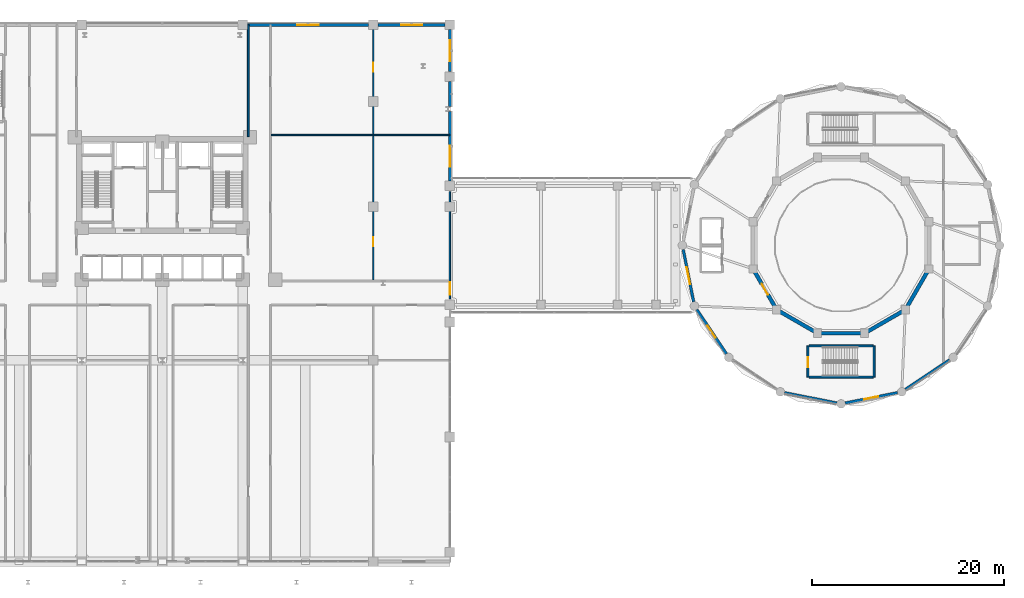
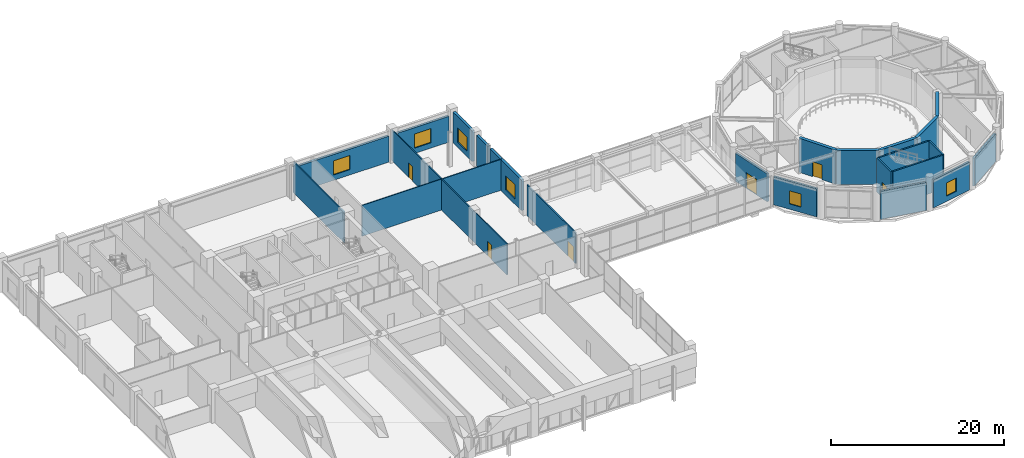
# One storey, part 33 of 44: 23 walls, 6 doors, 6 windows, 12 openings.
"""IFC4 building model written with IfcOpenShell, lengths in metres."""

from ifc_helpers import new_model, si_unit, derived_unit, direction, frame, frame_2d, origin, place, context, subcontext, project, spatial, rectangle, extrude, material, layer, layer_set, type_object, element, fill, save


model = new_model("IFC4")

# Units and contexts
model_context = context("Model", 3, precision=1e-05, world=origin(), true_north=direction((0.0, 1.0)))
body_context = subcontext(model_context, "Body", "Model", "MODEL_VIEW")
ifc_project = project(units=[si_unit("LENGTHUNIT", "METRE"), si_unit("AREAUNIT", "SQUARE_METRE"), si_unit("VOLUMEUNIT", "CUBIC_METRE"), si_unit("PLANEANGLEUNIT", "RADIAN"), si_unit("MASSUNIT", "GRAM", prefix="KILO"), derived_unit("THERMALTRANSMITTANCEUNIT", [(si_unit("POWERUNIT", "WATT"), 1), (si_unit("LENGTHUNIT", "METRE"), -2), (si_unit("THERMODYNAMICTEMPERATUREUNIT", "KELVIN"), -1)])], contexts=[model_context])

# Site, building, storey
site_placement = place(None, origin())
site = spatial("IfcSite", under=ifc_project, at=site_placement, CompositionType="ELEMENT")
building_placement = place(site_placement, origin())
building = spatial("IfcBuilding", under=site, at=building_placement, Name="Korsvarv Bourse and Concert Hall", CompositionType="ELEMENT")
storey_placement = place(building_placement, frame((0.0, 0.0, 9.60009765625)))
storey = spatial("IfcBuildingStorey", under=building, at=storey_placement, Name="L02", CompositionType="ELEMENT", Elevation=9.60009765625)

# Wall, opening, door
ifc_material_1 = material(Name="Concrete C50/60", Category="concrete")
ifc_layer_1 = layer(ifc_material_1, 0.3798828125)
ifc_layer_set_1 = layer_set([ifc_layer_1], Name="Concrete C50/60")
wall_type_1 = type_object("IfcWallType", Name="WL-CORE-380", PredefinedType="SHEAR", material=ifc_layer_set_1)
wall_1_placement = place(storey_placement, frame((103.35009765625, 22.239990234375, 0.0), z_axis=(0.0, 0.0, 1.0), x_axis=(0.0, 1.0, 0.0)))
wall_1 = element("IfcWall", 1, at=wall_1_placement, inside=storey, type_object=wall_type_1, Name="L02 stair shaft structural wall W-L02-STCH2-W", PredefinedType="SHEAR", context=body_context, shape_type="SweptSolid", body=[
    extrude(rectangle(XDim=3.260009765625, YDim=0.199951171875, at=frame_2d((1.6298828125, 0.0))), origin(), (0.0, 0.0, 1.0), 4.7998046875),
])
opening_1_placement = place(wall_1_placement, frame((1.050048828125, 0.0, 0.0)))
opening_1 = element("IfcOpeningElement", 2, at=opening_1_placement, cuts=wall_1, Name="Opening D-01", PredefinedType="OPENING", context=body_context, shape_type="SweptSolid", body=[
    extrude(rectangle(XDim=1.050048828125, YDim=2.10009765625, at=frame_2d((0.52490234375, 1.050048828125))), frame((0.0, 0.10986328125, 0.0), z_axis=(0.0, -1.0, 0.0), x_axis=(1.0, 0.0, 0.0)), (0.0, 0.0, 1.0), 0.219970703125),
])
ifc_material_2 = material(Name="Steel S355 fire door", Category="steel")
door_type_1 = type_object("IfcDoorType", Name="DR-FD60", OperationType="NOTDEFINED", PredefinedType="DOOR", material=ifc_material_2)
door_1_placement = place(opening_1_placement, origin())
door_1 = element("IfcDoor", 3, at=door_1_placement, inside=storey, type_object=door_type_1, Name="L02 interior door DR-L02-STCH2", OperationType="SINGLE_SWING_RIGHT", OverallHeight=2.10009765625, OverallWidth=1.050048828125, PredefinedType="DOOR", context=body_context, shape_type="SweptSolid", body=[
    extrude(rectangle(XDim=1.050048828125, YDim=2.10009765625, at=frame_2d((0.52490234375, 1.050048828125))), frame((0.0, 0.02490234375, 0.0), z_axis=(0.0, -1.0, 0.0), x_axis=(1.0, 0.0, 0.0)), (0.0, 0.0, 1.0), 0.050048828125),
])
fill(opening_1, door_1)

# Walls
for number, where, z_axis, x_axis, name in (
    (4, (103.4599609375, 25.5, 0.0), (0.0, 0.0, 1.0), (1.0, 0.0, 0.0), "L02 stair shaft structural wall W-L02-STCH2-N"),
    (5, (103.4599609375, 22.239990234375, 0.0), (0.0, 0.0, 1.0), (1.0, 0.0, 0.0), "L02 stair shaft structural wall W-L02-STCH2-S"),
):
    element("IfcWall", number, at=place(storey_placement, frame(where, z_axis=z_axis, x_axis=x_axis)), inside=storey, type_object=wall_type_1, Name=name, PredefinedType="SHEAR", context=body_context, shape_type="SweptSolid", body=[
        extrude(rectangle(XDim=6.679931640625, YDim=0.199951171875, at=frame_2d((3.33984375, 0.0))), origin(), (0.0, 0.0, 1.0), 4.7998046875),
    ])
wall_2_placement = place(storey_placement, frame((110.25, 22.239990234375, 0.0), z_axis=(0.0, 0.0, 1.0), x_axis=(0.0, 1.0, 0.0)))
element("IfcWall", 6, at=wall_2_placement, inside=storey, type_object=wall_type_1, Name="L02 stair shaft structural wall W-L02-STCH2-E", PredefinedType="SHEAR", context=body_context, shape_type="SweptSolid", body=[
    extrude(rectangle(XDim=3.260009765625, YDim=0.199951171875, at=frame_2d((1.6298828125, 0.0))), origin(), (0.0, 0.0, 1.0), 4.7998046875),
])

# Wall, opening, door
ifc_layer_2 = layer(ifc_material_1, 0.39990234375)
ifc_layer_set_2 = layer_set([ifc_layer_2], Name="Concrete C50/60")
wall_type_2 = type_object("IfcWallType", Name="WL-DRM-400", PredefinedType="SOLIDWALL", material=ifc_layer_set_2)
wall_3_placement = place(storey_placement, frame((97.623779296875, 33.541259765625, 0.0), z_axis=(0.0, 0.0, 1.0), x_axis=(0.499988900423, -0.866031812033, 0.0)))
wall_3 = element("IfcWall", 7, at=wall_3_placement, inside=storey, type_object=wall_type_2, Name="L02 Concert Hall Acoustic Bowl Wall 7", PredefinedType="SOLIDWALL", context=body_context, shape_type="SweptSolid", body=[
    extrude(rectangle(XDim=4.91748046875, YDim=0.39990234375, at=frame_2d((2.458740234375, 0.0))), origin(), (0.0, 0.0, 1.0), 4.7998046875),
])
opening_2_placement = place(wall_3_placement, frame((1.808837890625, 0.0, 0.0)))
opening_2 = element("IfcOpeningElement", 8, at=opening_2_placement, cuts=wall_3, Name="Opening D-04", PredefinedType="OPENING", context=body_context, shape_type="SweptSolid", body=[
    extrude(rectangle(XDim=1.300048828125, YDim=2.10009765625, at=frame_2d((0.64990234375, 1.050048828125))), frame((0.0, 0.2099609375, 0.0), z_axis=(0.0, -1.0, 0.0), x_axis=(1.0, 0.0, 0.0)), (0.0, 0.0, 1.0), 0.419921875),
])
ifc_material_3 = material(Name="Glazed aluminium double corridor door", Category="aluminium")
door_type_2 = type_object("IfcDoorType", Name="DR-INT-2", OperationType="DOUBLE_DOOR_SINGLE_SWING", PredefinedType="DOOR", material=ifc_material_3)
door_2_placement = place(opening_2_placement, frame((1.300048828125, 0.0, 0.0), z_axis=(0.0, 0.0, 1.0), x_axis=(-1.0, 0.0, 0.0)))
door_2 = element("IfcDoor", 9, at=door_2_placement, inside=storey, type_object=door_type_2, Name="L02 Symphony Auditorium acoustic door DR-L02-CHB2", OperationType="SINGLE_SWING_RIGHT", OverallHeight=2.10009765625, OverallWidth=1.300048828125, PredefinedType="DOOR", context=body_context, shape_type="SweptSolid", body=[
    extrude(rectangle(XDim=1.300048828125, YDim=2.10009765625, at=frame_2d((0.64990234375, 1.050048828125))), frame((0.0, 0.02490234375, 0.0), z_axis=(0.0, -1.0, 0.0), x_axis=(1.0, 0.0, 0.0)), (0.0, 0.0, 1.0), 0.050048828125),
])
fill(opening_2, door_2)

# Walls
for number, where, z_axis, x_axis, name in (
    (10, (100.08251953125, 29.282470703125, 0.0), (0.0, 0.0, 1.0), (0.866031812033, -0.499988900423, 0.0), "L02 Concert Hall Acoustic Bowl Wall 8"),
    (11, (104.34130859375, 26.82373046875, 0.0), (0.0, 0.0, 1.0), (1.0, 0.0, 0.0), "L02 Concert Hall Acoustic Bowl Wall 9"),
    (12, (109.2587890625, 26.82373046875, 0.0), (0.0, 0.0, 1.0), (0.866031812033, 0.499988900423, 0.0), "L02 Concert Hall Acoustic Bowl Wall 10"),
    (13, (113.517578125, 29.282470703125, 0.0), (0.0, 0.0, 1.0), (0.499988900423, 0.866031812033, 0.0), "L02 Concert Hall Acoustic Bowl Wall 11"),
):
    element("IfcWall", number, at=place(storey_placement, frame(where, z_axis=z_axis, x_axis=x_axis)), inside=storey, type_object=wall_type_2, Name=name, PredefinedType="SOLIDWALL", context=body_context, shape_type="SweptSolid", body=[
        extrude(rectangle(XDim=4.91748046875, YDim=0.39990234375, at=frame_2d((2.458740234375, 0.0))), origin(), (0.0, 0.0, 1.0), 4.7998046875),
    ])

# Wall, opening, window
ifc_material_4 = material(Name="Precast concrete C45/55 with granite and terracotta", Category="concrete")
ifc_layer_3 = layer(ifc_material_4, 0.320068359375)
ifc_layer_set_3 = layer_set([ifc_layer_3], Name="Precast concrete C45/55 with granite and terracotta")
wall_type_3 = type_object("IfcWallType", Name="WL-EXT-POD", PredefinedType="SOLIDWALL", material=ifc_layer_set_3)
wall_4_placement = place(storey_placement, frame((44.905029296875, 59.0, 0.0), z_axis=(0.0, 0.0, 1.0), x_axis=(1.0, 0.0, 0.0)))
wall_4 = element("IfcWall", 14, at=wall_4_placement, inside=storey, type_object=wall_type_3, Name="L02 terracotta exterior wall EW-L02-N4", PredefinedType="SOLIDWALL", context=body_context, shape_type="SweptSolid", body=[
    extrude(rectangle(XDim=12.590087890625, YDim=0.320068359375, at=frame_2d((6.294921875, 0.0))), origin(), (0.0, 0.0, 1.0), 3.64990234375),
])
opening_3_placement = place(wall_4_placement, frame((5.195068359375, 0.0, 0.75)))
opening_3 = element("IfcOpeningElement", 15, at=opening_3_placement, cuts=wall_4, Name="Opening W-03", PredefinedType="OPENING", context=body_context, shape_type="SweptSolid", body=[
    extrude(rectangle(XDim=2.199951171875, YDim=2.0, at=frame_2d((1.10009765625, 1.0))), frame((0.0, 0.169921875, 0.0), z_axis=(0.0, -1.0, 0.0), x_axis=(1.0, 0.0, 0.0)), (0.0, 0.0, 1.0), 0.340087890625),
])
ifc_material_5 = material(Name="Thermally broken aluminium frame with triple low-E glass", Category="glass")
window_type_1 = type_object("IfcWindowType", Name="WIN-POD1", PartitioningType="SINGLE_PANEL", PredefinedType="WINDOW", material=ifc_material_5)
window_1_placement = place(opening_3_placement, origin())
window_1 = element("IfcWindow", 16, at=window_1_placement, inside=storey, type_object=window_type_1, Name="L02 punched facade window W-03", OverallHeight=2.0, OverallWidth=2.199951171875, PartitioningType="SINGLE_PANEL", PredefinedType="WINDOW", context=body_context, shape_type="SweptSolid", body=[
    extrude(rectangle(XDim=2.199951171875, YDim=2.0, at=frame_2d((1.10009765625, 1.0))), frame((0.0, 0.030029296875, 0.0), z_axis=(0.0, -1.0, 0.0), x_axis=(1.0, 0.0, 0.0)), (0.0, 0.0, 1.0), 0.06005859375),
])
fill(opening_3, window_1)

wall_5_placement = place(storey_placement, frame((58.5048828125, 59.0, 0.0), z_axis=(0.0, 0.0, 1.0), x_axis=(1.0, 0.0, 0.0)))
wall_5 = element("IfcWall", 17, at=wall_5_placement, inside=storey, type_object=wall_type_3, Name="L02 terracotta exterior wall EW-L02-N5", PredefinedType="SOLIDWALL", context=body_context, shape_type="SweptSolid", body=[
    extrude(rectangle(XDim=6.990234375, YDim=0.320068359375, at=frame_2d((3.4951171875, 0.0))), origin(), (0.0, 0.0, 1.0), 3.64990234375),
])
opening_4_placement = place(wall_5_placement, frame((2.39501953125, 0.0, 0.75)))
opening_4 = element("IfcOpeningElement", 18, at=opening_4_placement, cuts=wall_5, Name="Opening W-03", PredefinedType="OPENING", context=body_context, shape_type="SweptSolid", body=[
    extrude(rectangle(XDim=2.199951171875, YDim=2.0, at=frame_2d((1.10009765625, 1.0))), frame((0.0, 0.169921875, 0.0), z_axis=(0.0, -1.0, 0.0), x_axis=(1.0, 0.0, 0.0)), (0.0, 0.0, 1.0), 0.340087890625),
])
window_2_placement = place(opening_4_placement, origin())
window_2 = element("IfcWindow", 19, at=window_2_placement, inside=storey, type_object=window_type_1, Name="L02 punched facade window W-03", OverallHeight=2.0, OverallWidth=2.199951171875, PartitioningType="SINGLE_PANEL", PredefinedType="WINDOW", context=body_context, shape_type="SweptSolid", body=[
    extrude(rectangle(XDim=2.199951171875, YDim=2.0, at=frame_2d((1.10009765625, 1.0))), frame((0.0, 0.030029296875, 0.0), z_axis=(0.0, -1.0, 0.0), x_axis=(1.0, 0.0, 0.0)), (0.0, 0.0, 1.0), 0.06005859375),
])
fill(opening_4, window_2)

wall_6_placement = place(storey_placement, frame((66.0, 42.705078125, 0.0), z_axis=(0.0, 0.0, 1.0), x_axis=(0.0, 1.0, 0.0)))
wall_6 = element("IfcWall", 20, at=wall_6_placement, inside=storey, type_object=wall_type_3, Name="L02 terracotta exterior wall EW-L02-E3-1", PredefinedType="SOLIDWALL", context=body_context, shape_type="SweptSolid", body=[
    extrude(rectangle(XDim=7.27001953125, YDim=0.320068359375, at=frame_2d((3.635009765625, 0.0))), origin(), (0.0, 0.0, 1.0), 4.349853515625),
])
opening_5_placement = place(wall_6_placement, frame((1.467529296875, 0.0, 0.75)))
opening_5 = element("IfcOpeningElement", 21, at=opening_5_placement, cuts=wall_6, Name="Opening W-03", PredefinedType="OPENING", context=body_context, shape_type="SweptSolid", body=[
    extrude(rectangle(XDim=2.199951171875, YDim=2.0, at=frame_2d((1.10009765625, 1.0))), frame((0.0, 0.169921875, 0.0), z_axis=(0.0, -1.0, 0.0), x_axis=(1.0, 0.0, 0.0)), (0.0, 0.0, 1.0), 0.340087890625),
])
window_3_placement = place(opening_5_placement, origin())
window_3 = element("IfcWindow", 22, at=window_3_placement, inside=storey, type_object=window_type_1, Name="L02 punched facade window W-03", OverallHeight=2.0, OverallWidth=2.199951171875, PartitioningType="SINGLE_PANEL", PredefinedType="WINDOW", context=body_context, shape_type="SweptSolid", body=[
    extrude(rectangle(XDim=2.199951171875, YDim=2.0, at=frame_2d((1.10009765625, 1.0))), frame((0.0, 0.030029296875, 0.0), z_axis=(0.0, -1.0, 0.0), x_axis=(1.0, 0.0, 0.0)), (0.0, 0.0, 1.0), 0.06005859375),
])
fill(opening_5, window_3)

# Wall
wall_7_placement = place(storey_placement, frame((66.0, 50.459228515625, 0.0), z_axis=(0.0, 0.0, 1.0), x_axis=(0.0, 1.0, 0.0)))
element("IfcWall", 23, at=wall_7_placement, inside=storey, type_object=wall_type_3, Name="L02 terracotta exterior wall EW-L02-E3-2", PredefinedType="SOLIDWALL", context=body_context, shape_type="SweptSolid", body=[
    extrude(rectangle(XDim=2.6357421875, YDim=0.320068359375, at=frame_2d((1.31787109375, 0.0))), origin(), (0.0, 0.0, 1.0), 4.349853515625),
])

# Wall, opening, window
wall_8_placement = place(storey_placement, frame((66.0, 54.10498046875, 0.0), z_axis=(0.0, 0.0, 1.0), x_axis=(0.0, 1.0, 0.0)))
wall_8 = element("IfcWall", 24, at=wall_8_placement, inside=storey, type_object=wall_type_3, Name="L02 terracotta exterior wall EW-L02-E4", PredefinedType="SOLIDWALL", context=body_context, shape_type="SweptSolid", body=[
    extrude(rectangle(XDim=4.39013671875, YDim=0.320068359375, at=frame_2d((2.195068359375, 0.0))), origin(), (0.0, 0.0, 1.0), 4.349853515625),
])
opening_6_placement = place(wall_8_placement, frame((1.094970703125, 0.0, 0.75)))
opening_6 = element("IfcOpeningElement", 25, at=opening_6_placement, cuts=wall_8, Name="Opening W-03", PredefinedType="OPENING", context=body_context, shape_type="SweptSolid", body=[
    extrude(rectangle(XDim=2.199951171875, YDim=2.0, at=frame_2d((1.10009765625, 1.0))), frame((0.0, 0.169921875, 0.0), z_axis=(0.0, -1.0, 0.0), x_axis=(1.0, 0.0, 0.0)), (0.0, 0.0, 1.0), 0.340087890625),
])
window_4_placement = place(opening_6_placement, origin())
window_4 = element("IfcWindow", 26, at=window_4_placement, inside=storey, type_object=window_type_1, Name="L02 punched facade window W-03", OverallHeight=2.0, OverallWidth=2.199951171875, PartitioningType="SINGLE_PANEL", PredefinedType="WINDOW", context=body_context, shape_type="SweptSolid", body=[
    extrude(rectangle(XDim=2.199951171875, YDim=2.0, at=frame_2d((1.10009765625, 1.0))), frame((0.0, 0.030029296875, 0.0), z_axis=(0.0, -1.0, 0.0), x_axis=(1.0, 0.0, 0.0)), (0.0, 0.0, 1.0), 0.06005859375),
])
fill(opening_6, window_4)

# Wall, opening, door
ifc_material_6 = material(Name="Precast concrete C45/55 with fluted terracotta pier", Category="concrete")
ifc_layer_4 = layer(ifc_material_6, 0.280029296875)
ifc_layer_set_4 = layer_set([ifc_layer_4], Name="Precast concrete C45/55 with fluted terracotta pier")
wall_type_4 = type_object("IfcWallType", Name="WL-EXT-TC2", PredefinedType="SOLIDWALL", material=ifc_layer_set_4)
wall_9_placement = place(storey_placement, frame((90.3388671875, 35.5537109375, 0.0), z_axis=(0.0, 0.0, 1.0), x_axis=(0.19504963768, -0.980793372144, 0.0)))
wall_9 = element("IfcWall", 27, at=wall_9_placement, inside=storey, type_object=wall_type_4, Name="L02 terracotta exterior wall EW-L02-CHD09", PredefinedType="SOLIDWALL", context=body_context, shape_type="SweptSolid", body=[
    extrude(rectangle(XDim=5.54736328125, YDim=0.280029296875, at=frame_2d((2.773681640625, 0.0))), origin(), (0.0, 0.0, 1.0), 3.949951171875),
])
opening_7_placement = place(wall_9_placement, frame((1.873779296875, 0.0, 0.0)))
opening_7 = element("IfcOpeningElement", 28, at=opening_7_placement, cuts=wall_9, Name="Opening ED-03", PredefinedType="OPENING", context=body_context, shape_type="SweptSolid", body=[
    extrude(rectangle(XDim=1.800048828125, YDim=2.199951171875, at=frame_2d((0.89990234375, 1.10009765625))), frame((0.0, 0.14990234375, 0.0), z_axis=(0.0, -1.0, 0.0), x_axis=(1.0, 0.0, 0.0)), (0.0, 0.0, 1.0), 0.300048828125),
])
ifc_material_7 = material(Name="Thermally broken anodised aluminium and laminated safety glass", Category="aluminium")
door_type_3 = type_object("IfcDoorType", Name="DR-EXT-EXIT-1800X2200", OperationType="DOUBLE_DOOR_SINGLE_SWING", PredefinedType="DOOR", material=ifc_material_7)
door_3_placement = place(opening_7_placement, frame((1.800048828125, 0.0, 0.0), z_axis=(0.0, 0.0, 1.0), x_axis=(-1.0, 0.0, 0.0)))
door_3 = element("IfcDoor", 29, at=door_3_placement, inside=storey, type_object=door_type_3, Name="L02 Concert Hall Link Bridge Portal Door 9", OperationType="DOUBLE_DOOR_SINGLE_SWING", OverallHeight=2.199951171875, OverallWidth=1.800048828125, PredefinedType="DOOR", context=body_context, shape_type="SweptSolid", body=[
    extrude(rectangle(XDim=1.800048828125, YDim=2.199951171875, at=frame_2d((0.89990234375, 1.10009765625))), frame((0.0, 0.02490234375, 0.0), z_axis=(0.0, -1.0, 0.0), x_axis=(1.0, 0.0, 0.0)), (0.0, 0.0, 1.0), 0.050048828125),
])
fill(opening_7, door_3)

# Wall, opening, window
wall_10_placement = place(storey_placement, frame((91.7626953125, 29.288330078125, 0.0), z_axis=(0.0, 0.0, 1.0), x_axis=(0.555542879373, -0.831487888774, 0.0)))
wall_10 = element("IfcWall", 30, at=wall_10_placement, inside=storey, type_object=wall_type_4, Name="L02 terracotta exterior wall EW-L02-CHD10", PredefinedType="SOLIDWALL", context=body_context, shape_type="SweptSolid", body=[
    extrude(rectangle(XDim=5.54736328125, YDim=0.280029296875, at=frame_2d((2.773681640625, 0.0))), origin(), (0.0, 0.0, 1.0), 3.949951171875),
])
opening_8_placement = place(wall_10_placement, frame((2.023681640625, 0.0, 0.75)))
opening_8 = element("IfcOpeningElement", 31, at=opening_8_placement, cuts=wall_10, Name="Opening W-04", PredefinedType="OPENING", context=body_context, shape_type="SweptSolid", body=[
    extrude(rectangle(XDim=1.5, YDim=1.85009765625, at=frame_2d((0.75, 0.925048828125))), frame((0.0, 0.14990234375, 0.0), z_axis=(0.0, -1.0, 0.0), x_axis=(1.0, 0.0, 0.0)), (0.0, 0.0, 1.0), 0.300048828125),
])
window_type_2 = type_object("IfcWindowType", Name="WIN-POD2", PartitioningType="SINGLE_PANEL", PredefinedType="WINDOW", material=ifc_material_5)
window_5_placement = place(opening_8_placement, origin())
window_5 = element("IfcWindow", 32, at=window_5_placement, inside=storey, type_object=window_type_2, Name="L02 punched facade window W-04", OverallHeight=1.85009765625, OverallWidth=1.5, PartitioningType="SINGLE_PANEL", PredefinedType="WINDOW", context=body_context, shape_type="SweptSolid", body=[
    extrude(rectangle(XDim=1.5, YDim=1.85009765625, at=frame_2d((0.75, 0.925048828125))), frame((0.0, 0.030029296875, 0.0), z_axis=(0.0, -1.0, 0.0), x_axis=(1.0, 0.0, 0.0)), (0.0, 0.0, 1.0), 0.06005859375),
])
fill(opening_8, window_5)

# Wall
wall_11_placement = place(storey_placement, frame((100.912841796875, 20.62109375, 0.0), z_axis=(0.0, 0.0, 1.0), x_axis=(0.980784952156, -0.195091972221, 0.0)))
element("IfcWall", 33, at=wall_11_placement, inside=storey, type_object=wall_type_4, Name="L02 terracotta exterior wall EW-L02-CHD12", PredefinedType="SOLIDWALL", context=body_context, shape_type="SweptSolid", body=[
    extrude(rectangle(XDim=5.547607421875, YDim=0.280029296875, at=frame_2d((2.77392578125, 0.0))), origin(), (0.0, 0.0, 1.0), 3.949951171875),
])

# Wall, opening, window
wall_12_placement = place(storey_placement, frame((107.246337890625, 19.538818359375, 0.0), z_axis=(0.0, 0.0, 1.0), x_axis=(0.980783277025, 0.195100393406, 0.0)))
wall_12 = element("IfcWall", 34, at=wall_12_placement, inside=storey, type_object=wall_type_4, Name="L02 terracotta exterior wall EW-L02-CHD13", PredefinedType="SOLIDWALL", context=body_context, shape_type="SweptSolid", body=[
    extrude(rectangle(XDim=5.54736328125, YDim=0.280029296875, at=frame_2d((2.773681640625, 0.0))), origin(), (0.0, 0.0, 1.0), 3.949951171875),
])
opening_9_placement = place(wall_12_placement, frame((2.023681640625, 0.0, 0.75)))
opening_9 = element("IfcOpeningElement", 35, at=opening_9_placement, cuts=wall_12, Name="Opening W-04", PredefinedType="OPENING", context=body_context, shape_type="SweptSolid", body=[
    extrude(rectangle(XDim=1.5, YDim=1.85009765625, at=frame_2d((0.75, 0.925048828125))), frame((0.0, 0.14990234375, 0.0), z_axis=(0.0, -1.0, 0.0), x_axis=(1.0, 0.0, 0.0)), (0.0, 0.0, 1.0), 0.300048828125),
])
window_6_placement = place(opening_9_placement, origin())
window_6 = element("IfcWindow", 36, at=window_6_placement, inside=storey, type_object=window_type_2, Name="L02 punched facade window W-04", OverallHeight=1.85009765625, OverallWidth=1.5, PartitioningType="SINGLE_PANEL", PredefinedType="WINDOW", context=body_context, shape_type="SweptSolid", body=[
    extrude(rectangle(XDim=1.5, YDim=1.85009765625, at=frame_2d((0.75, 0.925048828125))), frame((0.0, 0.030029296875, 0.0), z_axis=(0.0, -1.0, 0.0), x_axis=(1.0, 0.0, 0.0)), (0.0, 0.0, 1.0), 0.06005859375),
])
fill(opening_9, window_6)

# Wall
wall_13_placement = place(storey_placement, frame((113.51171875, 20.962646484375, 0.0), z_axis=(0.0, 0.0, 1.0), x_axis=(0.831467559129, 0.555573305798, 0.0)))
element("IfcWall", 37, at=wall_13_placement, inside=storey, type_object=wall_type_4, Name="L02 terracotta exterior wall EW-L02-CHD14", PredefinedType="SOLIDWALL", context=body_context, shape_type="SweptSolid", body=[
    extrude(rectangle(XDim=5.54736328125, YDim=0.280029296875, at=frame_2d((2.773681640625, 0.0))), origin(), (0.0, 0.0, 1.0), 3.949951171875),
])

# Wall, opening, door
ifc_material_8 = material(Name="Double-stud fire-rated acoustic partition", Category="gypsum")
ifc_layer_5 = layer(ifc_material_8, 0.159912109375)
ifc_layer_set_5 = layer_set([ifc_layer_5], Name="Double-stud fire-rated acoustic partition")
wall_type_5 = type_object("IfcWallType", Name="WL-INT-EI60", PredefinedType="PARTITIONING", material=ifc_layer_set_5)
wall_14_placement = place(storey_placement, frame((66.0, 30.39990234375, 0.0), z_axis=(0.0, 0.0, 1.0), x_axis=(0.0, 1.0, 0.0)))
wall_14 = element("IfcWall", 38, at=wall_14_placement, inside=storey, type_object=wall_type_5, Name="L02 interior partition wall W-L02-ELKP", PredefinedType="PARTITIONING", context=body_context, shape_type="SweptSolid", body=[
    extrude(rectangle(XDim=11.2001953125, YDim=0.159912109375, at=frame_2d((5.60009765625, 0.0))), origin(), (0.0, 0.0, 1.0), 4.349853515625),
])
opening_10_placement = place(wall_14_placement, frame((0.449951171875, 0.0, 0.0)))
opening_10 = element("IfcOpeningElement", 39, at=opening_10_placement, cuts=wall_14, Name="Opening D-04", PredefinedType="OPENING", context=body_context, shape_type="SweptSolid", body=[
    extrude(rectangle(XDim=1.300048828125, YDim=2.10009765625, at=frame_2d((0.64990234375, 1.050048828125))), frame((0.0, 0.08984375, 0.0), z_axis=(0.0, -1.0, 0.0), x_axis=(1.0, 0.0, 0.0)), (0.0, 0.0, 1.0), 0.179931640625),
])
door_4_placement = place(opening_10_placement, origin())
door_4 = element("IfcDoor", 40, at=door_4_placement, inside=storey, type_object=door_type_2, Name="L02 interior door DR-L02-LKPOD", OperationType="DOUBLE_DOOR_SINGLE_SWING", OverallHeight=2.10009765625, OverallWidth=1.300048828125, PredefinedType="DOOR", context=body_context, shape_type="SweptSolid", body=[
    extrude(rectangle(XDim=1.300048828125, YDim=2.10009765625, at=frame_2d((0.64990234375, 1.050048828125))), frame((0.0, 0.02490234375, 0.0), z_axis=(0.0, -1.0, 0.0), x_axis=(1.0, 0.0, 0.0)), (0.0, 0.0, 1.0), 0.050048828125),
])
fill(opening_10, door_4)

# Walls
wall_15_placement = place(storey_placement, frame((44.965087890625, 47.340087890625, 0.0), z_axis=(0.0, 0.0, 1.0), x_axis=(0.0, 1.0, 0.0)))
element("IfcWall", 41, at=wall_15_placement, inside=storey, type_object=wall_type_5, Name="L02 interior partition wall W-L02-PCOR-17", PredefinedType="PARTITIONING", context=body_context, shape_type="SweptSolid", body=[
    extrude(rectangle(XDim=11.639892578125, YDim=0.159912109375, at=frame_2d((5.81982421875, 0.0))), origin(), (0.0, 0.0, 1.0), 4.349853515625),
])
ifc_material_9 = material(Name="Demountable acoustic glass and aluminium dealing partition", Category="aluminium")
ifc_layer_6 = layer(ifc_material_9, 0.110107421875)
ifc_layer_set_6 = layer_set([ifc_layer_6], Name="Demountable acoustic glass and aluminium dealing partition")
wall_type_6 = type_object("IfcWallType", Name="WL-INT-MOV", PredefinedType="MOVABLE", material=ifc_layer_set_6)
wall_16_placement = place(storey_placement, frame((47.35693359375, 47.5048828125, 0.0), z_axis=(0.0, 0.0, 1.0), x_axis=(1.0, 0.0, 0.0)))
element("IfcWall", 42, at=wall_16_placement, inside=storey, type_object=wall_type_6, Name="L02 interior partition wall W-L02-PCOR-27", PredefinedType="MOVABLE", context=body_context, shape_type="SweptSolid", body=[
    extrude(rectangle(XDim=18.623046875, YDim=0.110107421875, at=frame_2d((9.3115234375, 0.0))), origin(), (0.0, 0.0, 1.0), 4.349853515625),
])

# Wall, openings, doors
ifc_material_10 = material(Name="Insulated steel-stud office acoustic partition", Category="gypsum")
ifc_layer_7 = layer(ifc_material_10, 0.139892578125)
ifc_layer_set_7 = layer_set([ifc_layer_7], Name="Insulated steel-stud office acoustic partition")
wall_type_7 = type_object("IfcWallType", Name="WL-INT-P1", PredefinedType="PARTITIONING", material=ifc_layer_set_7)
wall_17_placement = place(storey_placement, frame((58.0048828125, 32.35693359375, 0.0), z_axis=(0.0, 0.0, 1.0), x_axis=(0.0, 1.0, 0.0)))
wall_17 = element("IfcWall", 43, at=wall_17_placement, inside=storey, type_object=wall_type_7, Name="L02 interior partition wall W-L02-PCOR-24", PredefinedType="PARTITIONING", context=body_context, shape_type="SweptSolid", body=[
    extrude(rectangle(XDim=26.623046875, YDim=0.139892578125, at=frame_2d((13.3115234375, 0.0))), origin(), (0.0, 0.0, 1.0), 4.349853515625),
])
opening_11_placement = place(wall_17_placement, frame((3.522216796875, 0.0, 0.0)))
opening_11 = element("IfcOpeningElement", 44, at=opening_11_placement, cuts=wall_17, Name="Opening D-03", PredefinedType="OPENING", context=body_context, shape_type="SweptSolid", body=[
    extrude(rectangle(XDim=0.949951171875, YDim=2.050048828125, at=frame_2d((0.47509765625, 1.02490234375))), frame((0.0, 0.080078125, 0.0), z_axis=(0.0, -1.0, 0.0), x_axis=(1.0, 0.0, 0.0)), (0.0, 0.0, 1.0), 0.159912109375),
])
opening_12_placement = place(wall_17_placement, frame((21.736083984375, 0.0, 0.0)))
opening_12 = element("IfcOpeningElement", 45, at=opening_12_placement, cuts=wall_17, Name="Opening D-03", PredefinedType="OPENING", context=body_context, shape_type="SweptSolid", body=[
    extrude(rectangle(XDim=0.949951171875, YDim=2.050048828125, at=frame_2d((0.47509765625, 1.02490234375))), frame((0.0, 0.080078125, 0.0), z_axis=(0.0, -1.0, 0.0), x_axis=(1.0, 0.0, 0.0)), (0.0, 0.0, 1.0), 0.159912109375),
])
ifc_material_11 = material(Name="Nordic oak acoustic office door", Category="wood")
door_type_4 = type_object("IfcDoorType", Name="DR-INT-1", OperationType="NOTDEFINED", PredefinedType="DOOR", material=ifc_material_11)
door_5_placement = place(opening_11_placement, origin())
door_5 = element("IfcDoor", 46, at=door_5_placement, inside=storey, type_object=door_type_4, Name="L02 interior door DR-L02-PCOR-RM77", OperationType="SINGLE_SWING_LEFT", OverallHeight=2.050048828125, OverallWidth=0.949951171875, PredefinedType="DOOR", context=body_context, shape_type="SweptSolid", body=[
    extrude(rectangle(XDim=0.949951171875, YDim=2.050048828125, at=frame_2d((0.47509765625, 1.02490234375))), frame((0.0, 0.02490234375, 0.0), z_axis=(0.0, -1.0, 0.0), x_axis=(1.0, 0.0, 0.0)), (0.0, 0.0, 1.0), 0.050048828125),
])
fill(opening_11, door_5)
door_6_placement = place(opening_12_placement, origin())
door_6 = element("IfcDoor", 47, at=door_6_placement, inside=storey, type_object=door_type_4, Name="L02 interior door DR-L02-PCOR-SEM8", OperationType="SINGLE_SWING_RIGHT", OverallHeight=2.050048828125, OverallWidth=0.949951171875, PredefinedType="DOOR", context=body_context, shape_type="SweptSolid", body=[
    extrude(rectangle(XDim=0.949951171875, YDim=2.050048828125, at=frame_2d((0.47509765625, 1.02490234375))), frame((0.0, 0.02490234375, 0.0), z_axis=(0.0, -1.0, 0.0), x_axis=(1.0, 0.0, 0.0)), (0.0, 0.0, 1.0), 0.050048828125),
])
fill(opening_12, door_6)

save(model, "model.ifc")
